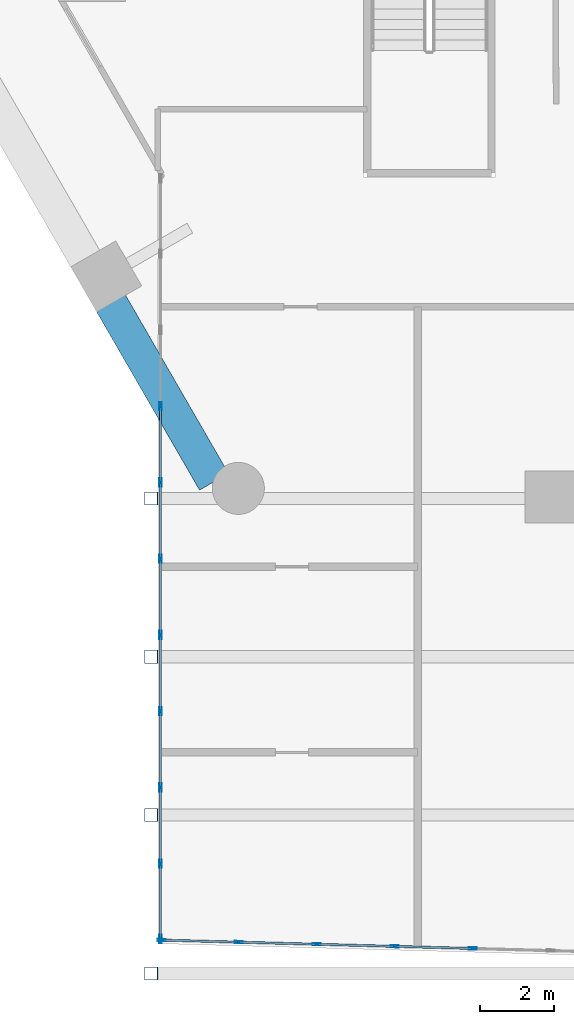
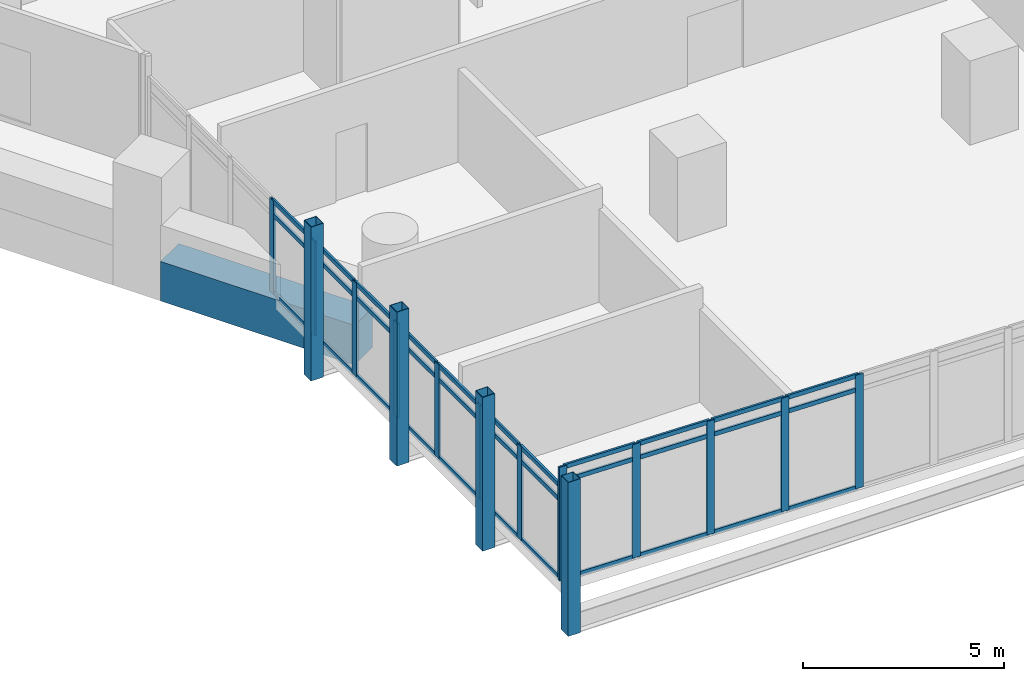
# One storey, part 2 of 28: 50 members, 1 beam, 2 elements without a shape of their own.
"""IFC4 building model written with IfcOpenShell, lengths in metres."""

from ifc_helpers import new_model, si_unit, direction, frame, origin, origin_2d, place, context, subcontext, project, spatial, rectangle, hollow_rectangle, extrude, material, material_profile, profile_set, type_object, element, aggregate, save


model = new_model("IFC4")

# Units and contexts
model_context = context("Model", 3, precision=1e-05, world=origin(), true_north=direction((0.0, 1.0)))
body_context = subcontext(model_context, "Body", "Model", "MODEL_VIEW")
ifc_project = project(units=[si_unit("LENGTHUNIT", "METRE"), si_unit("AREAUNIT", "SQUARE_METRE"), si_unit("VOLUMEUNIT", "CUBIC_METRE"), si_unit("PLANEANGLEUNIT", "RADIAN"), si_unit("MASSUNIT", "GRAM", prefix="KILO")], contexts=[model_context])

# Site, building, storey
site_placement = place(None, origin())
site = spatial("IfcSite", under=ifc_project, at=site_placement, CompositionType="ELEMENT")
building_placement = place(site_placement, origin())
building = spatial("IfcBuilding", under=site, at=building_placement, Name="Ostrander Bayou Hotel Tower", CompositionType="ELEMENT")
storey_placement = place(building_placement, frame((0.0, 0.0, 76.75)))
storey = spatial("IfcBuildingStorey", under=building, at=storey_placement, Name="L19", CompositionType="ELEMENT", Elevation=76.75)

# Curtain wall, members
ifc_material_1 = material(Name="Aluminium and clear glass", Category="aluminium")
curtain_wall_type = type_object("IfcCurtainWallType", Name="CW-BAR glazed wall", PredefinedType="NOTDEFINED", material=ifc_material_1)
curtain_wall_1_placement = place(storey_placement, origin())
curtain_wall_1 = element("IfcCurtainWall", 1, at=curtain_wall_1_placement, inside=storey, type_object=curtain_wall_type, Name="CW-BAR L19:SB1S:E", PredefinedType="NOTDEFINED")
ifc_material_2 = material(Name="Aluminium", Category="aluminium")
ifc_material_profile_1 = material_profile(ifc_material_2, hollow_rectangle(XDim=0.06005859375, YDim=0.219970703125, WallThickness=0.00390625, at=origin_2d()))
ifc_profile_set_1 = profile_set([ifc_material_profile_1], Name="Aluminium")
member_type_1 = type_object("IfcMemberType", Name="CW-BR mullion 60 x 220 mm", PredefinedType="MULLION", material=ifc_profile_set_1)
member_1_placement = place(storey_placement, frame((-14.712158203125, -17.677978515625, 0.0), z_axis=(0.0, 0.0, 1.0), x_axis=(1.0, 0.0, 0.0)))
member_1 = element("IfcMember", 2, at=member_1_placement, type_object=member_type_1, Name="CW-BAR mullion 4", PredefinedType="MULLION", context=body_context, shape_type="SweptSolid", body=[
    extrude(hollow_rectangle(XDim=0.06005859375, YDim=0.219970703125, WallThickness=0.00390625, at=origin_2d()), origin(), (0.0, 0.0, 1.0), 2.85009765625),
])
member_2_placement = place(storey_placement, frame((-14.712158203125, -19.7314453125, 0.0), z_axis=(0.0, 0.0, 1.0), x_axis=(1.0, 0.0, 0.0)))
member_2 = element("IfcMember", 3, at=member_2_placement, type_object=member_type_1, Name="CW-BAR mullion 5", PredefinedType="MULLION", context=body_context, shape_type="SweptSolid", body=[
    extrude(hollow_rectangle(XDim=0.06005859375, YDim=0.219970703125, WallThickness=0.00390625, at=origin_2d()), origin(), (0.0, 0.0, 1.0), 2.85009765625),
])
member_3_placement = place(storey_placement, frame((-14.712158203125, -21.784912109375, 0.0), z_axis=(0.0, 0.0, 1.0), x_axis=(1.0, 0.0, 0.0)))
member_3 = element("IfcMember", 4, at=member_3_placement, type_object=member_type_1, Name="CW-BAR mullion 6", PredefinedType="MULLION", context=body_context, shape_type="SweptSolid", body=[
    extrude(hollow_rectangle(XDim=0.06005859375, YDim=0.219970703125, WallThickness=0.00390625, at=origin_2d()), origin(), (0.0, 0.0, 1.0), 2.85009765625),
])
member_4_placement = place(storey_placement, frame((-14.712158203125, -23.83837890625, 0.0), z_axis=(0.0, 0.0, 1.0), x_axis=(1.0, 0.0, 0.0)))
member_4 = element("IfcMember", 5, at=member_4_placement, type_object=member_type_1, Name="CW-BAR mullion 7", PredefinedType="MULLION", context=body_context, shape_type="SweptSolid", body=[
    extrude(hollow_rectangle(XDim=0.06005859375, YDim=0.219970703125, WallThickness=0.00390625, at=origin_2d()), origin(), (0.0, 0.0, 1.0), 2.85009765625),
])
member_5_placement = place(storey_placement, frame((-14.712158203125, -25.8916015625, 0.0), z_axis=(0.0, 0.0, 1.0), x_axis=(1.0, 0.0, 0.0)))
member_5 = element("IfcMember", 6, at=member_5_placement, type_object=member_type_1, Name="CW-BAR mullion 8", PredefinedType="MULLION", context=body_context, shape_type="SweptSolid", body=[
    extrude(hollow_rectangle(XDim=0.06005859375, YDim=0.219970703125, WallThickness=0.00390625, at=origin_2d()), origin(), (0.0, 0.0, 1.0), 2.85009765625),
])
member_6_placement = place(storey_placement, frame((-14.712158203125, -27.945068359375, 0.0), z_axis=(0.0, 0.0, 1.0), x_axis=(1.0, 0.0, 0.0)))
member_6 = element("IfcMember", 7, at=member_6_placement, type_object=member_type_1, Name="CW-BAR mullion 9", PredefinedType="MULLION", context=body_context, shape_type="SweptSolid", body=[
    extrude(hollow_rectangle(XDim=0.06005859375, YDim=0.219970703125, WallThickness=0.00390625, at=origin_2d()), origin(), (0.0, 0.0, 1.0), 2.85009765625),
])
member_7_placement = place(storey_placement, frame((-14.712158203125, -29.99853515625, 0.0), z_axis=(0.0, 0.0, 1.0), x_axis=(1.0, 0.0, 0.0)))
member_7 = element("IfcMember", 8, at=member_7_placement, type_object=member_type_1, Name="CW-BAR mullion 10", PredefinedType="MULLION", context=body_context, shape_type="SweptSolid", body=[
    extrude(hollow_rectangle(XDim=0.06005859375, YDim=0.219970703125, WallThickness=0.00390625, at=origin_2d()), origin(), (0.0, 0.0, 1.0), 2.85009765625),
])
member_8_placement = place(storey_placement, frame((-14.712158203125, -32.02197265625, 0.0), z_axis=(0.0, 0.0, 1.0), x_axis=(1.0, 0.0, 0.0)))
member_8 = element("IfcMember", 9, at=member_8_placement, type_object=member_type_1, Name="CW-BAR mullion 11", PredefinedType="MULLION", context=body_context, shape_type="SweptSolid", body=[
    extrude(hollow_rectangle(XDim=0.06005859375, YDim=0.219970703125, WallThickness=0.00390625, at=origin_2d()), origin(), (0.0, 0.0, 1.0), 2.85009765625),
])

curtain_wall_2_placement = place(storey_placement, origin())
curtain_wall_2 = element("IfcCurtainWall", 10, at=curtain_wall_2_placement, inside=storey, type_object=curtain_wall_type, Name="CW-BAR L19:SB1S:T", PredefinedType="NOTDEFINED")
member_9_placement = place(storey_placement, frame((-14.68212890625, -32.052734375, 0.0), z_axis=(0.0, 0.0, 1.0), x_axis=(0.027042484848, 0.999634285133, 0.0)))
member_9 = element("IfcMember", 11, at=member_9_placement, type_object=member_type_1, Name="CW-BAR mullion 1", PredefinedType="MULLION", context=body_context, shape_type="SweptSolid", body=[
    extrude(hollow_rectangle(XDim=0.06005859375, YDim=0.219970703125, WallThickness=0.00390625, at=origin_2d()), origin(), (0.0, 0.0, 1.0), 3.449951171875),
])
member_10_placement = place(storey_placement, frame((-12.6103515625, -32.10888671875, 0.0), z_axis=(0.0, 0.0, 1.0), x_axis=(0.027042484848, 0.999634285133, 0.0)))
member_10 = element("IfcMember", 12, at=member_10_placement, type_object=member_type_1, Name="CW-BAR mullion 2", PredefinedType="MULLION", context=body_context, shape_type="SweptSolid", body=[
    extrude(hollow_rectangle(XDim=0.06005859375, YDim=0.219970703125, WallThickness=0.00390625, at=origin_2d()), origin(), (0.0, 0.0, 1.0), 3.449951171875),
])
member_11_placement = place(storey_placement, frame((-10.5087890625, -32.165771484375, 0.0), z_axis=(0.0, 0.0, 1.0), x_axis=(0.027042484848, 0.999634285133, 0.0)))
member_11 = element("IfcMember", 13, at=member_11_placement, type_object=member_type_1, Name="CW-BAR mullion 3", PredefinedType="MULLION", context=body_context, shape_type="SweptSolid", body=[
    extrude(hollow_rectangle(XDim=0.06005859375, YDim=0.219970703125, WallThickness=0.00390625, at=origin_2d()), origin(), (0.0, 0.0, 1.0), 3.449951171875),
])
member_12_placement = place(storey_placement, frame((-8.406982421875, -32.22265625, 0.0), z_axis=(0.0, 0.0, 1.0), x_axis=(0.027042484848, 0.999634285133, 0.0)))
member_12 = element("IfcMember", 14, at=member_12_placement, type_object=member_type_1, Name="CW-BAR mullion 4", PredefinedType="MULLION", context=body_context, shape_type="SweptSolid", body=[
    extrude(hollow_rectangle(XDim=0.06005859375, YDim=0.219970703125, WallThickness=0.00390625, at=origin_2d()), origin(), (0.0, 0.0, 1.0), 3.449951171875),
])
member_13_placement = place(storey_placement, frame((-6.30517578125, -32.279541015625, 0.0), z_axis=(0.0, 0.0, 1.0), x_axis=(0.027042484848, 0.999634285133, 0.0)))
member_13 = element("IfcMember", 15, at=member_13_placement, type_object=member_type_1, Name="CW-BAR mullion 5", PredefinedType="MULLION", context=body_context, shape_type="SweptSolid", body=[
    extrude(hollow_rectangle(XDim=0.06005859375, YDim=0.219970703125, WallThickness=0.00390625, at=origin_2d()), origin(), (0.0, 0.0, 1.0), 3.449951171875),
])

# Member
ifc_material_3 = material(Name="Aluminium", Category="aluminium")
ifc_material_profile_2 = material_profile(ifc_material_3, hollow_rectangle(XDim=0.06005859375, YDim=0.1298828125, WallThickness=0.00390625, at=origin_2d()))
ifc_profile_set_2 = profile_set([ifc_material_profile_2], Name="Aluminium")
member_type_2 = type_object("IfcMemberType", Name="CW-BR transom 60 x 130 mm", PredefinedType="USERDEFINED", material=ifc_profile_set_2)
member_14_placement = place(storey_placement, frame((-14.712158203125, -17.7080078125, 0.030029296875), z_axis=(0.0, -1.0, 0.0), x_axis=(1.0, 0.0, 0.0)))
member_14 = element("IfcMember", 16, at=member_14_placement, type_object=member_type_2, Name="CW-BAR transom 4.1", ObjectType="TRANSOM", PredefinedType="USERDEFINED", context=body_context, shape_type="SweptSolid", body=[
    extrude(hollow_rectangle(XDim=0.06005859375, YDim=0.1298828125, WallThickness=0.00390625, at=origin_2d()), origin(), (0.0, 0.0, 1.0), 1.993408203125),
])

member_15_placement = place(storey_placement, frame((-14.712158203125, -17.7080078125, 2.39990234375), z_axis=(0.0, -1.0, 0.0), x_axis=(1.0, 0.0, 0.0)))
member_15 = element("IfcMember", 17, at=member_15_placement, type_object=member_type_2, Name="CW-BAR transom 4.2", ObjectType="TRANSOM", PredefinedType="USERDEFINED", context=body_context, shape_type="SweptSolid", body=[
    extrude(hollow_rectangle(XDim=0.06005859375, YDim=0.1298828125, WallThickness=0.00390625, at=origin_2d()), origin(), (0.0, 0.0, 1.0), 1.993408203125),
])

member_16_placement = place(storey_placement, frame((-14.712158203125, -17.7080078125, 2.820068359375), z_axis=(0.0, -1.0, 0.0), x_axis=(1.0, 0.0, 0.0)))
member_16 = element("IfcMember", 18, at=member_16_placement, type_object=member_type_2, Name="CW-BAR transom 4.3", ObjectType="TRANSOM", PredefinedType="USERDEFINED", context=body_context, shape_type="SweptSolid", body=[
    extrude(hollow_rectangle(XDim=0.06005859375, YDim=0.1298828125, WallThickness=0.00390625, at=origin_2d()), origin(), (0.0, 0.0, 1.0), 1.993408203125),
])

member_17_placement = place(storey_placement, frame((-14.712158203125, -19.761474609375, 0.030029296875), z_axis=(0.0, -1.0, 0.0), x_axis=(1.0, 0.0, 0.0)))
member_17 = element("IfcMember", 19, at=member_17_placement, type_object=member_type_2, Name="CW-BAR transom 5.1", ObjectType="TRANSOM", PredefinedType="USERDEFINED", context=body_context, shape_type="SweptSolid", body=[
    extrude(hollow_rectangle(XDim=0.06005859375, YDim=0.1298828125, WallThickness=0.00390625, at=origin_2d()), origin(), (0.0, 0.0, 1.0), 1.993408203125),
])

member_18_placement = place(storey_placement, frame((-14.712158203125, -19.761474609375, 2.39990234375), z_axis=(0.0, -1.0, 0.0), x_axis=(1.0, 0.0, 0.0)))
member_18 = element("IfcMember", 20, at=member_18_placement, type_object=member_type_2, Name="CW-BAR transom 5.2", ObjectType="TRANSOM", PredefinedType="USERDEFINED", context=body_context, shape_type="SweptSolid", body=[
    extrude(hollow_rectangle(XDim=0.06005859375, YDim=0.1298828125, WallThickness=0.00390625, at=origin_2d()), origin(), (0.0, 0.0, 1.0), 1.993408203125),
])

member_19_placement = place(storey_placement, frame((-14.712158203125, -19.761474609375, 2.820068359375), z_axis=(0.0, -1.0, 0.0), x_axis=(1.0, 0.0, 0.0)))
member_19 = element("IfcMember", 21, at=member_19_placement, type_object=member_type_2, Name="CW-BAR transom 5.3", ObjectType="TRANSOM", PredefinedType="USERDEFINED", context=body_context, shape_type="SweptSolid", body=[
    extrude(hollow_rectangle(XDim=0.06005859375, YDim=0.1298828125, WallThickness=0.00390625, at=origin_2d()), origin(), (0.0, 0.0, 1.0), 1.993408203125),
])

member_20_placement = place(storey_placement, frame((-14.712158203125, -21.81494140625, 0.030029296875), z_axis=(0.0, -1.0, 0.0), x_axis=(1.0, 0.0, 0.0)))
member_20 = element("IfcMember", 22, at=member_20_placement, type_object=member_type_2, Name="CW-BAR transom 6.1", ObjectType="TRANSOM", PredefinedType="USERDEFINED", context=body_context, shape_type="SweptSolid", body=[
    extrude(hollow_rectangle(XDim=0.06005859375, YDim=0.1298828125, WallThickness=0.00390625, at=origin_2d()), origin(), (0.0, 0.0, 1.0), 1.993408203125),
])

member_21_placement = place(storey_placement, frame((-14.712158203125, -21.81494140625, 2.39990234375), z_axis=(0.0, -1.0, 0.0), x_axis=(1.0, 0.0, 0.0)))
member_21 = element("IfcMember", 23, at=member_21_placement, type_object=member_type_2, Name="CW-BAR transom 6.2", ObjectType="TRANSOM", PredefinedType="USERDEFINED", context=body_context, shape_type="SweptSolid", body=[
    extrude(hollow_rectangle(XDim=0.06005859375, YDim=0.1298828125, WallThickness=0.00390625, at=origin_2d()), origin(), (0.0, 0.0, 1.0), 1.993408203125),
])

member_22_placement = place(storey_placement, frame((-14.712158203125, -21.81494140625, 2.820068359375), z_axis=(0.0, -1.0, 0.0), x_axis=(1.0, 0.0, 0.0)))
member_22 = element("IfcMember", 24, at=member_22_placement, type_object=member_type_2, Name="CW-BAR transom 6.3", ObjectType="TRANSOM", PredefinedType="USERDEFINED", context=body_context, shape_type="SweptSolid", body=[
    extrude(hollow_rectangle(XDim=0.06005859375, YDim=0.1298828125, WallThickness=0.00390625, at=origin_2d()), origin(), (0.0, 0.0, 1.0), 1.993408203125),
])

member_23_placement = place(storey_placement, frame((-14.712158203125, -23.8681640625, 0.030029296875), z_axis=(0.0, -1.0, 0.0), x_axis=(1.0, 0.0, 0.0)))
member_23 = element("IfcMember", 25, at=member_23_placement, type_object=member_type_2, Name="CW-BAR transom 7.1", ObjectType="TRANSOM", PredefinedType="USERDEFINED", context=body_context, shape_type="SweptSolid", body=[
    extrude(hollow_rectangle(XDim=0.06005859375, YDim=0.1298828125, WallThickness=0.00390625, at=origin_2d()), origin(), (0.0, 0.0, 1.0), 1.99365234375),
])

member_24_placement = place(storey_placement, frame((-14.712158203125, -23.8681640625, 2.39990234375), z_axis=(0.0, -1.0, 0.0), x_axis=(1.0, 0.0, 0.0)))
member_24 = element("IfcMember", 26, at=member_24_placement, type_object=member_type_2, Name="CW-BAR transom 7.2", ObjectType="TRANSOM", PredefinedType="USERDEFINED", context=body_context, shape_type="SweptSolid", body=[
    extrude(hollow_rectangle(XDim=0.06005859375, YDim=0.1298828125, WallThickness=0.00390625, at=origin_2d()), origin(), (0.0, 0.0, 1.0), 1.99365234375),
])

member_25_placement = place(storey_placement, frame((-14.712158203125, -23.8681640625, 2.820068359375), z_axis=(0.0, -1.0, 0.0), x_axis=(1.0, 0.0, 0.0)))
member_25 = element("IfcMember", 27, at=member_25_placement, type_object=member_type_2, Name="CW-BAR transom 7.3", ObjectType="TRANSOM", PredefinedType="USERDEFINED", context=body_context, shape_type="SweptSolid", body=[
    extrude(hollow_rectangle(XDim=0.06005859375, YDim=0.1298828125, WallThickness=0.00390625, at=origin_2d()), origin(), (0.0, 0.0, 1.0), 1.99365234375),
])

member_26_placement = place(storey_placement, frame((-14.712158203125, -25.921630859375, 0.030029296875), z_axis=(0.0, -1.0, 0.0), x_axis=(1.0, 0.0, 0.0)))
member_26 = element("IfcMember", 28, at=member_26_placement, type_object=member_type_2, Name="CW-BAR transom 8.1", ObjectType="TRANSOM", PredefinedType="USERDEFINED", context=body_context, shape_type="SweptSolid", body=[
    extrude(hollow_rectangle(XDim=0.06005859375, YDim=0.1298828125, WallThickness=0.00390625, at=origin_2d()), origin(), (0.0, 0.0, 1.0), 1.993408203125),
])

member_27_placement = place(storey_placement, frame((-14.712158203125, -25.921630859375, 2.39990234375), z_axis=(0.0, -1.0, 0.0), x_axis=(1.0, 0.0, 0.0)))
member_27 = element("IfcMember", 29, at=member_27_placement, type_object=member_type_2, Name="CW-BAR transom 8.2", ObjectType="TRANSOM", PredefinedType="USERDEFINED", context=body_context, shape_type="SweptSolid", body=[
    extrude(hollow_rectangle(XDim=0.06005859375, YDim=0.1298828125, WallThickness=0.00390625, at=origin_2d()), origin(), (0.0, 0.0, 1.0), 1.993408203125),
])

member_28_placement = place(storey_placement, frame((-14.712158203125, -25.921630859375, 2.820068359375), z_axis=(0.0, -1.0, 0.0), x_axis=(1.0, 0.0, 0.0)))
member_28 = element("IfcMember", 30, at=member_28_placement, type_object=member_type_2, Name="CW-BAR transom 8.3", ObjectType="TRANSOM", PredefinedType="USERDEFINED", context=body_context, shape_type="SweptSolid", body=[
    extrude(hollow_rectangle(XDim=0.06005859375, YDim=0.1298828125, WallThickness=0.00390625, at=origin_2d()), origin(), (0.0, 0.0, 1.0), 1.993408203125),
])

member_29_placement = place(storey_placement, frame((-14.712158203125, -27.97509765625, 0.030029296875), z_axis=(0.0, -1.0, 0.0), x_axis=(1.0, 0.0, 0.0)))
member_29 = element("IfcMember", 31, at=member_29_placement, type_object=member_type_2, Name="CW-BAR transom 9.1", ObjectType="TRANSOM", PredefinedType="USERDEFINED", context=body_context, shape_type="SweptSolid", body=[
    extrude(hollow_rectangle(XDim=0.06005859375, YDim=0.1298828125, WallThickness=0.00390625, at=origin_2d()), origin(), (0.0, 0.0, 1.0), 1.993408203125),
])

member_30_placement = place(storey_placement, frame((-14.712158203125, -27.97509765625, 2.39990234375), z_axis=(0.0, -1.0, 0.0), x_axis=(1.0, 0.0, 0.0)))
member_30 = element("IfcMember", 32, at=member_30_placement, type_object=member_type_2, Name="CW-BAR transom 9.2", ObjectType="TRANSOM", PredefinedType="USERDEFINED", context=body_context, shape_type="SweptSolid", body=[
    extrude(hollow_rectangle(XDim=0.06005859375, YDim=0.1298828125, WallThickness=0.00390625, at=origin_2d()), origin(), (0.0, 0.0, 1.0), 1.993408203125),
])

member_31_placement = place(storey_placement, frame((-14.712158203125, -27.97509765625, 2.820068359375), z_axis=(0.0, -1.0, 0.0), x_axis=(1.0, 0.0, 0.0)))
member_31 = element("IfcMember", 33, at=member_31_placement, type_object=member_type_2, Name="CW-BAR transom 9.3", ObjectType="TRANSOM", PredefinedType="USERDEFINED", context=body_context, shape_type="SweptSolid", body=[
    extrude(hollow_rectangle(XDim=0.06005859375, YDim=0.1298828125, WallThickness=0.00390625, at=origin_2d()), origin(), (0.0, 0.0, 1.0), 1.993408203125),
])

member_32_placement = place(storey_placement, frame((-14.712158203125, -30.028564453125, 0.030029296875), z_axis=(0.0, -1.0, 0.0), x_axis=(1.0, 0.0, 0.0)))
member_32 = element("IfcMember", 34, at=member_32_placement, type_object=member_type_2, Name="CW-BAR transom 10.1", ObjectType="TRANSOM", PredefinedType="USERDEFINED", context=body_context, shape_type="SweptSolid", body=[
    extrude(hollow_rectangle(XDim=0.06005859375, YDim=0.1298828125, WallThickness=0.00390625, at=origin_2d()), origin(), (0.0, 0.0, 1.0), 1.96337890625),
])

member_33_placement = place(storey_placement, frame((-14.712158203125, -30.028564453125, 2.39990234375), z_axis=(0.0, -1.0, 0.0), x_axis=(1.0, 0.0, 0.0)))
member_33 = element("IfcMember", 35, at=member_33_placement, type_object=member_type_2, Name="CW-BAR transom 10.2", ObjectType="TRANSOM", PredefinedType="USERDEFINED", context=body_context, shape_type="SweptSolid", body=[
    extrude(hollow_rectangle(XDim=0.06005859375, YDim=0.1298828125, WallThickness=0.00390625, at=origin_2d()), origin(), (0.0, 0.0, 1.0), 1.96337890625),
])

member_34_placement = place(storey_placement, frame((-14.712158203125, -30.028564453125, 2.820068359375), z_axis=(0.0, -1.0, 0.0), x_axis=(1.0, 0.0, 0.0)))
member_34 = element("IfcMember", 36, at=member_34_placement, type_object=member_type_2, Name="CW-BAR transom 10.3", ObjectType="TRANSOM", PredefinedType="USERDEFINED", context=body_context, shape_type="SweptSolid", body=[
    extrude(hollow_rectangle(XDim=0.06005859375, YDim=0.1298828125, WallThickness=0.00390625, at=origin_2d()), origin(), (0.0, 0.0, 1.0), 1.96337890625),
])

aggregate(curtain_wall_1, [member_1, member_2, member_3, member_4, member_5, member_6, member_7, member_8, member_14, member_15, member_16, member_17, member_18, member_19, member_20, member_21, member_22, member_23, member_24, member_25, member_26, member_27, member_28, member_29, member_30, member_31, member_32, member_33, member_34])

member_35_placement = place(storey_placement, frame((-14.65234375, -32.0537109375, 0.030029296875), z_axis=(0.999634083934, -0.027049921213, 0.0), x_axis=(0.027049921213, 0.999634083934, 0.0)))
member_35 = element("IfcMember", 37, at=member_35_placement, type_object=member_type_2, Name="CW-BAR transom 1.1", ObjectType="TRANSOM", PredefinedType="USERDEFINED", context=body_context, shape_type="SweptSolid", body=[
    extrude(hollow_rectangle(XDim=0.06005859375, YDim=0.1298828125, WallThickness=0.00390625, at=origin_2d()), origin(), (0.0, 0.0, 1.0), 2.0126953125),
])

member_36_placement = place(storey_placement, frame((-14.65234375, -32.0537109375, 3.0), z_axis=(0.999634083934, -0.027049921213, 0.0), x_axis=(0.027049921213, 0.999634083934, 0.0)))
member_36 = element("IfcMember", 38, at=member_36_placement, type_object=member_type_2, Name="CW-BAR transom 1.2", ObjectType="TRANSOM", PredefinedType="USERDEFINED", context=body_context, shape_type="SweptSolid", body=[
    extrude(hollow_rectangle(XDim=0.06005859375, YDim=0.1298828125, WallThickness=0.00390625, at=origin_2d()), origin(), (0.0, 0.0, 1.0), 2.0126953125),
])

member_37_placement = place(storey_placement, frame((-14.65234375, -32.0537109375, 3.419921875), z_axis=(0.999634083934, -0.027049921213, 0.0), x_axis=(0.027049921213, 0.999634083934, 0.0)))
member_37 = element("IfcMember", 39, at=member_37_placement, type_object=member_type_2, Name="CW-BAR transom 1.3", ObjectType="TRANSOM", PredefinedType="USERDEFINED", context=body_context, shape_type="SweptSolid", body=[
    extrude(hollow_rectangle(XDim=0.06005859375, YDim=0.1298828125, WallThickness=0.00390625, at=origin_2d()), origin(), (0.0, 0.0, 1.0), 2.0126953125),
])

member_38_placement = place(storey_placement, frame((-12.58056640625, -32.109619140625, 0.030029296875), z_axis=(0.999635057116, -0.027013933147, 0.0), x_axis=(0.027013933147, 0.999635057116, 0.0)))
member_38 = element("IfcMember", 40, at=member_38_placement, type_object=member_type_2, Name="CW-BAR transom 2.1", ObjectType="TRANSOM", PredefinedType="USERDEFINED", context=body_context, shape_type="SweptSolid", body=[
    extrude(hollow_rectangle(XDim=0.06005859375, YDim=0.1298828125, WallThickness=0.00390625, at=origin_2d()), origin(), (0.0, 0.0, 1.0), 2.04248046875),
])

member_39_placement = place(storey_placement, frame((-12.58056640625, -32.109619140625, 3.0), z_axis=(0.999635057116, -0.027013933147, 0.0), x_axis=(0.027013933147, 0.999635057116, 0.0)))
member_39 = element("IfcMember", 41, at=member_39_placement, type_object=member_type_2, Name="CW-BAR transom 2.2", ObjectType="TRANSOM", PredefinedType="USERDEFINED", context=body_context, shape_type="SweptSolid", body=[
    extrude(hollow_rectangle(XDim=0.06005859375, YDim=0.1298828125, WallThickness=0.00390625, at=origin_2d()), origin(), (0.0, 0.0, 1.0), 2.04248046875),
])

member_40_placement = place(storey_placement, frame((-12.58056640625, -32.109619140625, 3.419921875), z_axis=(0.999635057116, -0.027013933147, 0.0), x_axis=(0.027013933147, 0.999635057116, 0.0)))
member_40 = element("IfcMember", 42, at=member_40_placement, type_object=member_type_2, Name="CW-BAR transom 2.3", ObjectType="TRANSOM", PredefinedType="USERDEFINED", context=body_context, shape_type="SweptSolid", body=[
    extrude(hollow_rectangle(XDim=0.06005859375, YDim=0.1298828125, WallThickness=0.00390625, at=origin_2d()), origin(), (0.0, 0.0, 1.0), 2.04248046875),
])

member_41_placement = place(storey_placement, frame((-10.478759765625, -32.16650390625, 0.030029296875), z_axis=(0.999635057116, -0.027013933147, 0.0), x_axis=(0.027013933147, 0.999635057116, 0.0)))
member_41 = element("IfcMember", 43, at=member_41_placement, type_object=member_type_2, Name="CW-BAR transom 3.1", ObjectType="TRANSOM", PredefinedType="USERDEFINED", context=body_context, shape_type="SweptSolid", body=[
    extrude(hollow_rectangle(XDim=0.06005859375, YDim=0.1298828125, WallThickness=0.00390625, at=origin_2d()), origin(), (0.0, 0.0, 1.0), 2.04248046875),
])

member_42_placement = place(storey_placement, frame((-10.478759765625, -32.16650390625, 3.0), z_axis=(0.999635057116, -0.027013933147, 0.0), x_axis=(0.027013933147, 0.999635057116, 0.0)))
member_42 = element("IfcMember", 44, at=member_42_placement, type_object=member_type_2, Name="CW-BAR transom 3.2", ObjectType="TRANSOM", PredefinedType="USERDEFINED", context=body_context, shape_type="SweptSolid", body=[
    extrude(hollow_rectangle(XDim=0.06005859375, YDim=0.1298828125, WallThickness=0.00390625, at=origin_2d()), origin(), (0.0, 0.0, 1.0), 2.04248046875),
])

member_43_placement = place(storey_placement, frame((-10.478759765625, -32.16650390625, 3.419921875), z_axis=(0.999635057116, -0.027013933147, 0.0), x_axis=(0.027013933147, 0.999635057116, 0.0)))
member_43 = element("IfcMember", 45, at=member_43_placement, type_object=member_type_2, Name="CW-BAR transom 3.3", ObjectType="TRANSOM", PredefinedType="USERDEFINED", context=body_context, shape_type="SweptSolid", body=[
    extrude(hollow_rectangle(XDim=0.06005859375, YDim=0.1298828125, WallThickness=0.00390625, at=origin_2d()), origin(), (0.0, 0.0, 1.0), 2.04248046875),
])

member_44_placement = place(storey_placement, frame((-8.376953125, -32.223388671875, 0.030029296875), z_axis=(0.999635057116, -0.027013933147, 0.0), x_axis=(0.027013933147, 0.999635057116, 0.0)))
member_44 = element("IfcMember", 46, at=member_44_placement, type_object=member_type_2, Name="CW-BAR transom 4.1", ObjectType="TRANSOM", PredefinedType="USERDEFINED", context=body_context, shape_type="SweptSolid", body=[
    extrude(hollow_rectangle(XDim=0.06005859375, YDim=0.1298828125, WallThickness=0.00390625, at=origin_2d()), origin(), (0.0, 0.0, 1.0), 2.04248046875),
])

member_45_placement = place(storey_placement, frame((-8.376953125, -32.223388671875, 3.0), z_axis=(0.999635057116, -0.027013933147, 0.0), x_axis=(0.027013933147, 0.999635057116, 0.0)))
member_45 = element("IfcMember", 47, at=member_45_placement, type_object=member_type_2, Name="CW-BAR transom 4.2", ObjectType="TRANSOM", PredefinedType="USERDEFINED", context=body_context, shape_type="SweptSolid", body=[
    extrude(hollow_rectangle(XDim=0.06005859375, YDim=0.1298828125, WallThickness=0.00390625, at=origin_2d()), origin(), (0.0, 0.0, 1.0), 2.04248046875),
])

member_46_placement = place(storey_placement, frame((-8.376953125, -32.223388671875, 3.419921875), z_axis=(0.999635057116, -0.027013933147, 0.0), x_axis=(0.027013933147, 0.999635057116, 0.0)))
member_46 = element("IfcMember", 48, at=member_46_placement, type_object=member_type_2, Name="CW-BAR transom 4.3", ObjectType="TRANSOM", PredefinedType="USERDEFINED", context=body_context, shape_type="SweptSolid", body=[
    extrude(hollow_rectangle(XDim=0.06005859375, YDim=0.1298828125, WallThickness=0.00390625, at=origin_2d()), origin(), (0.0, 0.0, 1.0), 2.04248046875),
])

aggregate(curtain_wall_2, [member_9, member_10, member_11, member_12, member_13, member_35, member_36, member_37, member_38, member_39, member_40, member_41, member_42, member_43, member_44, member_45, member_46])

# Beam
ifc_material_4 = material(Name="Concrete f'c 70 MPa", Category="concrete")
ifc_material_profile_3 = material_profile(ifc_material_4, rectangle(XDim=0.89990234375, YDim=1.199951171875, at=origin_2d()))
ifc_profile_set_3 = profile_set([ifc_material_profile_3], Name="Concrete f'c 70 MPa")
beam_type = type_object("IfcBeamType", Name="SP1 spandrel beam 900 x 1200 mm f'c 70 MPa", PredefinedType="SPANDREL", material=ifc_profile_set_3)
beam_placement = place(storey_placement, frame((-16.056884765625, -14.888671875, -0.60009765625), z_axis=(0.499976681983, -0.866038866029, 0.0), x_axis=(0.866038866029, 0.499976681983, 0.0)))
element("IfcBeam", 49, at=beam_placement, inside=storey, type_object=beam_type, Name="SP1 L19 SW-3", PredefinedType="SPANDREL", context=body_context, shape_type="SweptSolid", body=[
    extrude(rectangle(XDim=0.89990234375, YDim=1.199951171875, at=origin_2d()), origin(), (0.0, 0.0, 1.0), 5.569580078125),
])

# Members
ifc_material_5 = material(Name="Steel ASTM A500 Gr C", Category="steel")
ifc_material_profile_4 = material_profile(ifc_material_5, hollow_rectangle(XDim=0.355712890625, YDim=0.355712890625, WallThickness=0.0146484375, at=origin_2d()))
ifc_profile_set_4 = profile_set([ifc_material_profile_4], Name="Steel ASTM A500 Gr C")
member_type_3 = type_object("IfcMemberType", Name="TH1 bar hanger HSS14x14x5/8", PredefinedType="POST", material=ifc_profile_set_4)
for number, where, z_axis, x_axis, name in (
    (50, (-14.965087890625, -20.162841796875, -0.921875), (0.0, 0.0, 1.0), (1.0, 0.0, 0.0), "TH1 SB1SA H1-4"),
    (51, (-14.965087890625, -24.42529296875, -0.921875), (0.0, 0.0, 1.0), (1.0, 0.0, 0.0), "TH1 SB1SA H2-4"),
    (52, (-14.965087890625, -28.6875, -0.921875), (0.0, 0.0, 1.0), (1.0, 0.0, 0.0), "TH1 SB1SA H3-4"),
    (53, (-14.965087890625, -32.949951171875, -0.921875), (0.0, 0.0, 1.0), (1.0, 0.0, 0.0), "TH1 SB1SA H4-4"),
):
    element("IfcMember", number, at=place(storey_placement, frame(where, z_axis=z_axis, x_axis=x_axis)), inside=storey, type_object=member_type_3, Name=name, PredefinedType="POST", context=body_context, shape_type="SweptSolid", body=[
        extrude(hollow_rectangle(XDim=0.355712890625, YDim=0.355712890625, WallThickness=0.0146484375, at=origin_2d()), origin(), (0.0, 0.0, 1.0), 4.671875),
    ])

save(model, "model.ifc")
